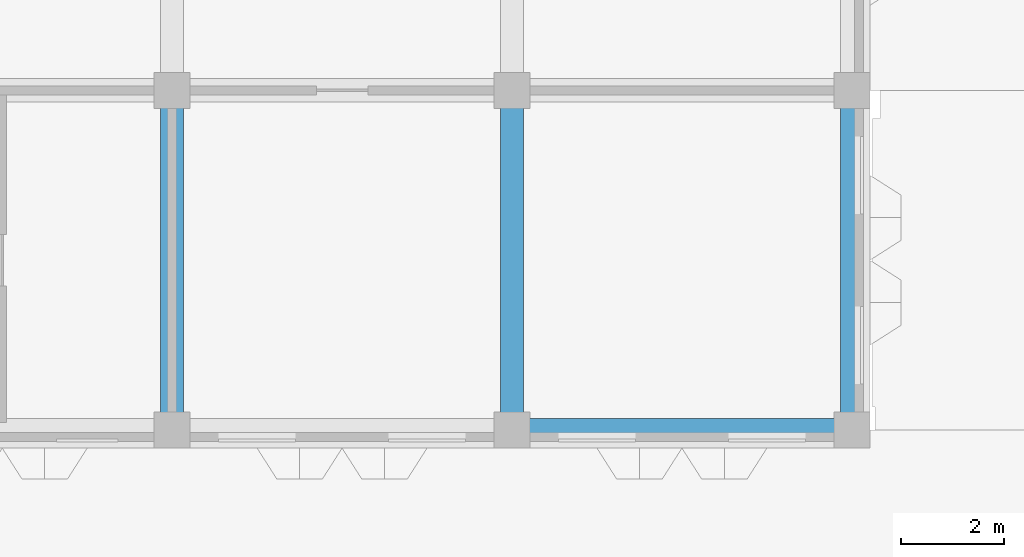
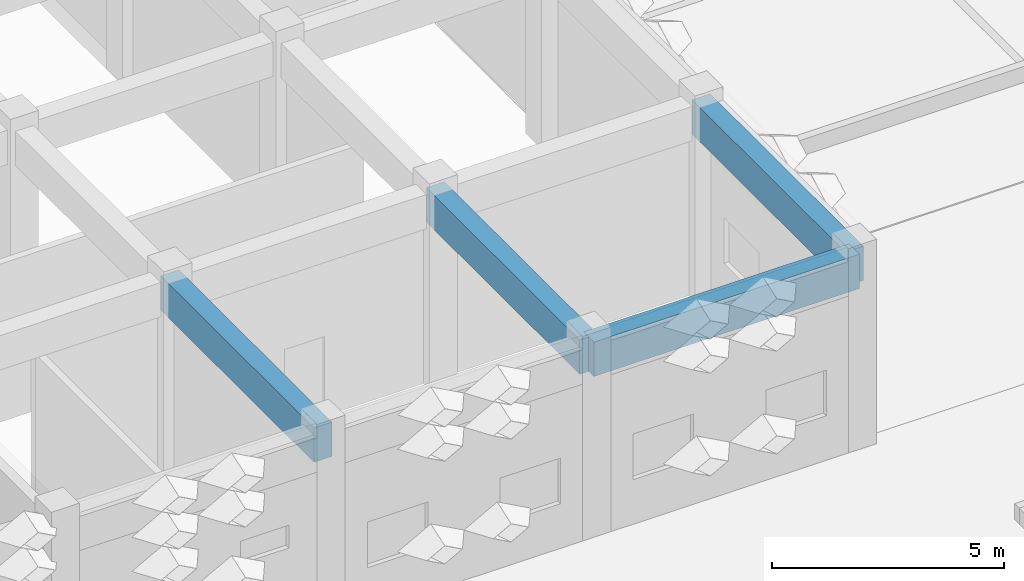
# One storey, part 7 of 85: 4 beams.
"""IFC4 building model written with IfcOpenShell, lengths in metres."""

from ifc_helpers import new_model, si_unit, direction, frame, origin, origin_2d, place, context, subcontext, project, spatial, rectangle, extrude, material, material_profile, profile_set, type_object, element, save


model = new_model("IFC4")

# Units and contexts
model_context = context("Model", 3, precision=1e-05, world=origin(), true_north=direction((0.0, 1.0)))
body_context = subcontext(model_context, "Body", "Model", "MODEL_VIEW")
ifc_project = project(units=[si_unit("LENGTHUNIT", "METRE"), si_unit("AREAUNIT", "SQUARE_METRE"), si_unit("VOLUMEUNIT", "CUBIC_METRE"), si_unit("PLANEANGLEUNIT", "RADIAN"), si_unit("MASSUNIT", "GRAM", prefix="KILO")], contexts=[model_context])

# Site, building, storey
site_placement = place(None, origin())
site = spatial("IfcSite", under=ifc_project, at=site_placement, CompositionType="ELEMENT")
building_placement = place(site_placement, origin())
building = spatial("IfcBuilding", under=site, at=building_placement, Name="Lantern Court Research Institute", CompositionType="ELEMENT")
storey_placement = place(building_placement, origin())
storey = spatial("IfcBuildingStorey", under=building, at=storey_placement, Name="L00", CompositionType="ELEMENT", Elevation=0.0)

# Beams
ifc_material = material(Name="Concrete C40/50", Category="concrete")
ifc_material_profile = material_profile(ifc_material, rectangle(XDim=0.449951171875, YDim=0.89990234375, at=origin_2d()), Name="Clean room beam 450 x 900")
ifc_profile_set = profile_set([ifc_material_profile], Name="Concrete C40/50")
beam_type = type_object("IfcBeamType", Name="Clean room beam 450 x 900", PredefinedType="BEAM", material=ifc_profile_set)
beam_placement = place(storey_placement, frame((19.800048828125, 49.5, 4.60009765625), z_axis=(1.0, 0.0, 0.0), x_axis=(0.0, 1.0, 0.0)))
element("IfcBeam", 1, at=beam_placement, inside=storey, type_object=beam_type, Name="Clean room beam", PredefinedType="BEAM", context=body_context, shape_type="SweptSolid", body=[
    extrude(rectangle(XDim=0.449951171875, YDim=0.89990234375, at=origin_2d()), origin(), (0.0, 0.0, 1.0), 6.599853515625),
])
for number, where, z_axis, x_axis, name in (
    (2, (13.199951171875, 49.5, 4.60009765625), (0.0, 1.0, 0.0), (-1.0, 0.0, 0.0), "Clean room beam"),
    (3, (19.800048828125, 49.5, 4.60009765625), (0.0, 1.0, 0.0), (-1.0, 0.0, 0.0), "Clean room beam"),
    (4, (26.39990234375, 49.5, 4.60009765625), (0.0, 1.0, 0.0), (-1.0, 0.0, 0.0), "Clean room beam"),
):
    element("IfcBeam", number, at=place(storey_placement, frame(where, z_axis=z_axis, x_axis=x_axis)), inside=storey, type_object=beam_type, Name=name, PredefinedType="BEAM", context=body_context, shape_type="SweptSolid", body=[
        extrude(rectangle(XDim=0.449951171875, YDim=0.89990234375, at=origin_2d()), origin(), (0.0, 0.0, 1.0), 6.60009765625),
    ])

save(model, "model.ifc")
